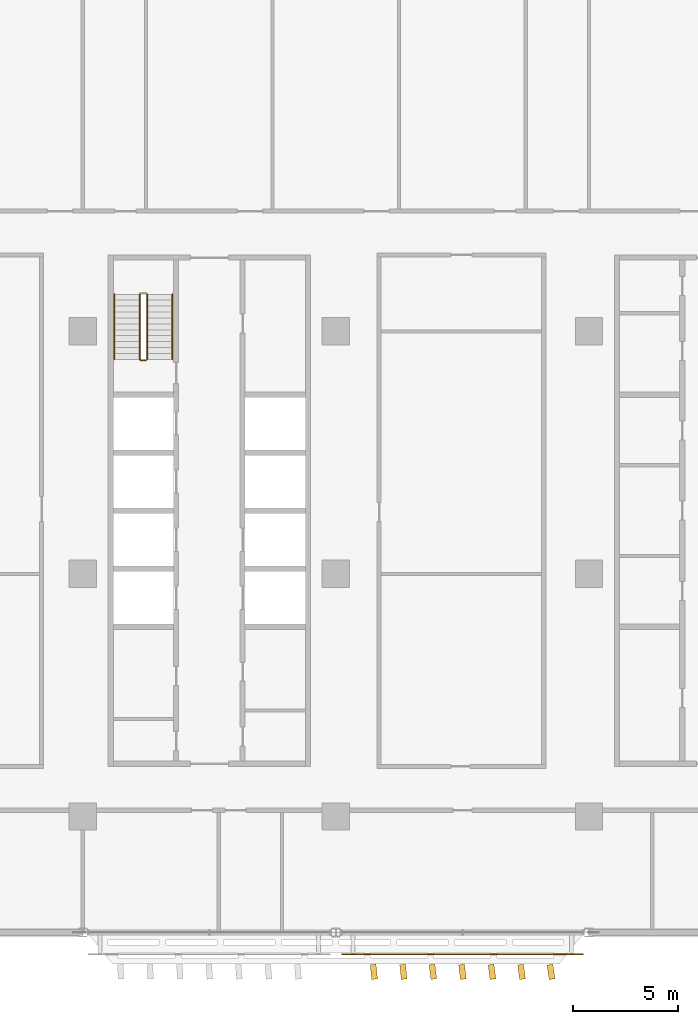
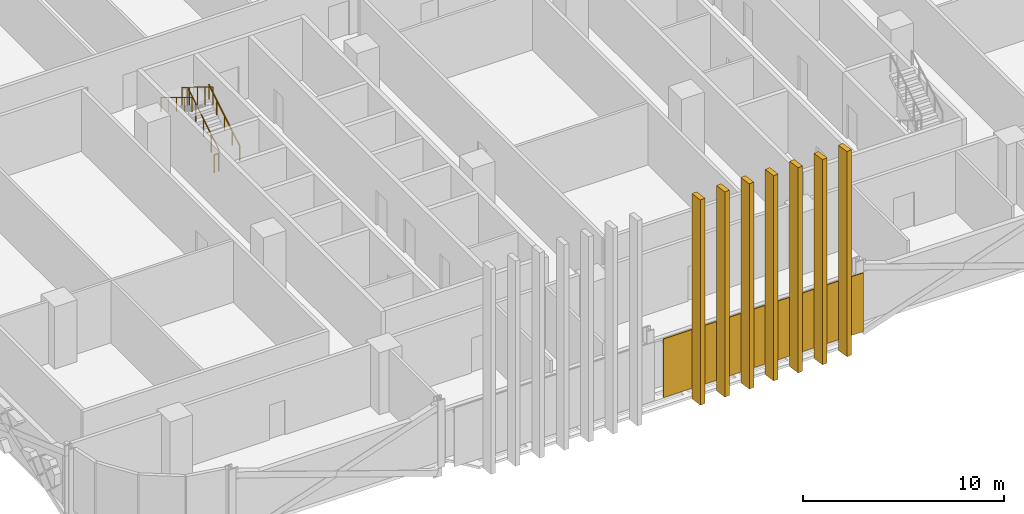
# One storey, part 25 of 33: 8 coverings, 5 railings.
"""IFC4 building model written with IfcOpenShell, lengths in metres."""

from ifc_helpers import new_model, si_unit, direction, frame, origin, origin_2d, place, context, subcontext, project, spatial, rectangle, circle, extrude, material, layer, layer_set, type_object, element, save


model = new_model("IFC4")

# Units and contexts
model_context = context("Model", 3, precision=1e-05, world=origin(), true_north=direction((0.0, 1.0)))
body_context = subcontext(model_context, "Body", "Model", "MODEL_VIEW")
ifc_project = project(units=[si_unit("LENGTHUNIT", "METRE"), si_unit("AREAUNIT", "SQUARE_METRE"), si_unit("VOLUMEUNIT", "CUBIC_METRE"), si_unit("PLANEANGLEUNIT", "RADIAN"), si_unit("MASSUNIT", "GRAM", prefix="KILO")], contexts=[model_context])

# Site, building, storey
site_placement = place(None, origin())
site = spatial("IfcSite", under=ifc_project, at=site_placement, CompositionType="ELEMENT")
building_placement = place(site_placement, origin())
building = spatial("IfcBuilding", under=site, at=building_placement, Name="Mahtab Terrace Research Tower", CompositionType="ELEMENT")
storey_placement = place(building_placement, frame((0.0, 0.0, 122.0)))
storey = spatial("IfcBuildingStorey", under=building, at=storey_placement, Name="L28", CompositionType="ELEMENT", Elevation=122.0)

# Covering
ifc_material_1 = material(Name="Bronze anodised aluminium", Category="aluminium")
ifc_layer_1 = layer(ifc_material_1, 0.050048828125)
ifc_layer_set_1 = layer_set([ifc_layer_1], Name="Sky lounge girih screen panel")
covering_type_1 = type_object("IfcCoveringType", Name="Sky lounge girih screen panel", PredefinedType="CLADDING", material=ifc_layer_set_1)
covering_placement = place(storey_placement, frame((-12.0, -18.02490234375, 0.099853515625), z_axis=(0.0, 0.0, 1.0), x_axis=(1.0, 0.0, 0.0)))
element("IfcCovering", 1, at=covering_placement, inside=storey, type_object=covering_type_1, Name="Girih screen L28 S27", PredefinedType="CLADDING", context=body_context, shape_type="SweptSolid", body=[
    extrude(rectangle(XDim=11.464111328125, YDim=0.050048828125, at=origin_2d()), origin(), (0.0, 0.0, 1.0), 3.56005859375),
])

# Railings
ifc_material_2 = material(Name="Stainless steel AISI 304", Category="steel")
railing_type_1 = type_object("IfcRailingType", Name="Stair guard 1100", PredefinedType="GUARDRAIL", material=ifc_material_2)
railing_1_placement = place(storey_placement, frame((-26.949951171875, 10.175048828125, 0.1708984375)))
element("IfcRailing", 2, at=railing_1_placement, inside=storey, type_object=railing_type_1, Name="L28 ST1 stair guard 1", PredefinedType="GUARDRAIL", context=body_context, shape_type="SweptSolid", body=[
    extrude(circle(Radius=0.02392578125, at=origin_2d()), frame((0.0, 0.0, 1.076171875), z_axis=(0.0, 0.853647949592, 0.520850437417), x_axis=(-1.0, 0.0, 0.0)), (0.0, 0.0, 1.0), 3.60791015625),
    extrude(circle(Radius=0.02099609375, at=origin_2d()), origin(), (0.0, 0.0, 1.0), 1.052001953125),
    extrude(circle(Radius=0.02099609375, at=origin_2d()), frame((0.0, 0.77001953125, 0.4697265625)), (0.0, 0.0, 1.0), 1.052001953125),
    extrude(circle(Radius=0.02099609375, at=origin_2d()), frame((0.0, 1.5400390625, 0.939453125)), (0.0, 0.0, 1.0), 1.052001953125),
    extrude(circle(Radius=0.02099609375, at=origin_2d()), frame((0.0, 2.309814453125, 1.409423828125)), (0.0, 0.0, 1.0), 1.052001953125),
    extrude(circle(Radius=0.02099609375, at=origin_2d()), frame((0.0, 3.079833984375, 1.879150390625)), (0.0, 0.0, 1.0), 1.052001953125),
])
railing_2_placement = place(storey_placement, frame((-27.300048828125, 13.2548828125, 2.220947265625)))
element("IfcRailing", 3, at=railing_2_placement, inside=storey, type_object=railing_type_1, Name="L28 ST1 stair guard 3", PredefinedType="GUARDRAIL", context=body_context, shape_type="SweptSolid", body=[
    extrude(circle(Radius=0.02392578125, at=origin_2d()), frame((0.0, 0.0, 1.076171875), z_axis=(0.0, -0.853647949592, 0.520850437417), x_axis=(1.0, 0.0, 0.0)), (0.0, 0.0, 1.0), 3.60791015625),
    extrude(circle(Radius=0.02099609375, at=origin_2d()), origin(), (0.0, 0.0, 1.0), 1.052001953125),
    extrude(circle(Radius=0.02099609375, at=origin_2d()), frame((0.0, -0.77001953125, 0.4697265625)), (0.0, 0.0, 1.0), 1.052001953125),
    extrude(circle(Radius=0.02099609375, at=origin_2d()), frame((0.0, -1.5400390625, 0.939453125)), (0.0, 0.0, 1.0), 1.052001953125),
    extrude(circle(Radius=0.02099609375, at=origin_2d()), frame((0.0, -2.309814453125, 1.409423828125)), (0.0, 0.0, 1.0), 1.052001953125),
    extrude(circle(Radius=0.02099609375, at=origin_2d()), frame((0.0, -3.079833984375, 1.879150390625)), (0.0, 0.0, 1.0), 1.052001953125),
])
railing_3_placement = place(storey_placement, frame((-27.0, 10.125, 0.0)))
element("IfcRailing", 4, at=railing_3_placement, inside=storey, type_object=railing_type_1, Name="L28 ST1 stair guard 4", PredefinedType="GUARDRAIL", context=body_context, shape_type="SweptSolid", body=[
    extrude(circle(Radius=0.02392578125, at=origin_2d()), frame((0.0, 0.0, 1.076171875), z_axis=(-1.0, 0.0, 0.0), x_axis=(0.0, -1.0, 0.0)), (0.0, 0.0, 1.0), 0.25),
    extrude(circle(Radius=0.02099609375, at=origin_2d()), origin(), (0.0, 0.0, 1.0), 1.052001953125),
    extrude(circle(Radius=0.02099609375, at=origin_2d()), frame((-0.25, 0.0, 0.0)), (0.0, 0.0, 1.0), 1.052001953125),
])
railing_type_2 = type_object("IfcRailingType", Name="Stair handrail 900", PredefinedType="HANDRAIL", material=ifc_material_2)
railing_4_placement = place(storey_placement, frame((-25.75, 10.175048828125, 0.1708984375)))
element("IfcRailing", 5, at=railing_4_placement, inside=storey, type_object=railing_type_2, Name="L28 ST1 stair handrail 1", PredefinedType="HANDRAIL", context=body_context, shape_type="SweptSolid", body=[
    extrude(circle(Radius=0.02392578125, at=origin_2d()), frame((0.0, 0.0, 0.8759765625), z_axis=(0.0, 0.853647949592, 0.520850437417), x_axis=(-1.0, 0.0, 0.0)), (0.0, 0.0, 1.0), 3.60791015625),
    extrude(circle(Radius=0.02099609375, at=origin_2d()), origin(), (0.0, 0.0, 1.0), 0.851806640625),
    extrude(circle(Radius=0.02099609375, at=origin_2d()), frame((0.0, 0.77001953125, 0.4697265625)), (0.0, 0.0, 1.0), 0.851806640625),
    extrude(circle(Radius=0.02099609375, at=origin_2d()), frame((0.0, 1.5400390625, 0.939453125)), (0.0, 0.0, 1.0), 0.851806640625),
    extrude(circle(Radius=0.02099609375, at=origin_2d()), frame((0.0, 2.309814453125, 1.409423828125)), (0.0, 0.0, 1.0), 0.851806640625),
    extrude(circle(Radius=0.02099609375, at=origin_2d()), frame((0.0, 3.079833984375, 1.879150390625)), (0.0, 0.0, 1.0), 0.851806640625),
])
railing_5_placement = place(storey_placement, frame((-28.5, 13.2548828125, 2.220947265625)))
element("IfcRailing", 6, at=railing_5_placement, inside=storey, type_object=railing_type_2, Name="L28 ST1 stair handrail 2", PredefinedType="HANDRAIL", context=body_context, shape_type="SweptSolid", body=[
    extrude(circle(Radius=0.02392578125, at=origin_2d()), frame((0.0, 0.0, 0.8759765625), z_axis=(0.0, -0.853647949592, 0.520850437417), x_axis=(1.0, 0.0, 0.0)), (0.0, 0.0, 1.0), 3.60791015625),
    extrude(circle(Radius=0.02099609375, at=origin_2d()), origin(), (0.0, 0.0, 1.0), 0.851806640625),
    extrude(circle(Radius=0.02099609375, at=origin_2d()), frame((0.0, -0.77001953125, 0.4697265625)), (0.0, 0.0, 1.0), 0.851806640625),
    extrude(circle(Radius=0.02099609375, at=origin_2d()), frame((0.0, -1.5400390625, 0.939453125)), (0.0, 0.0, 1.0), 0.851806640625),
    extrude(circle(Radius=0.02099609375, at=origin_2d()), frame((0.0, -2.309814453125, 1.409423828125)), (0.0, 0.0, 1.0), 0.851806640625),
    extrude(circle(Radius=0.02099609375, at=origin_2d()), frame((0.0, -3.079833984375, 1.879150390625)), (0.0, 0.0, 1.0), 0.851806640625),
])

# Coverings
ifc_layer_2 = layer(ifc_material_1, 0.1201171875)
ifc_layer_set_2 = layer_set([ifc_layer_2], Name="Vertical fin 700")
covering_type_2 = type_object("IfcCoveringType", Name="Vertical fin 700", PredefinedType="CLADDING", material=ifc_layer_set_2)
for number, where, z_axis, x_axis, name in (
    (7, (-16.199951171875, -18.863037109375, -0.14990234375), (0.0, 0.0, 1.0), (0.994258180634, 0.107007804585, 0.0), "Fin L28 S1"),
    (8, (-14.800048828125, -18.863525390625, -0.14990234375), (0.0, 0.0, 1.0), (0.993618812002, 0.112790320663, 0.0), "Fin L28 S2"),
    (9, (-13.39990234375, -18.864013671875, -0.14990234375), (0.0, 0.0, 1.0), (0.992945813063, 0.118569019226, 0.0), "Fin L28 S3"),
    (10, (-12.0, -18.86474609375, -0.14990234375), (0.0, 0.0, 1.0), (0.9922392066, 0.12434370465, 0.0), "Fin L28 S4"),
    (11, (-10.60009765625, -18.865234375, -0.14990234375), (0.0, 0.0, 1.0), (0.991499016526, 0.130114181502, 0.0), "Fin L28 S5"),
    (12, (-9.199951171875, -18.86572265625, -0.14990234375), (0.0, 0.0, 1.0), (0.990725267892, 0.135880254489, 0.0), "Fin L28 S6"),
    (13, (-7.800048828125, -18.8662109375, -0.14990234375), (0.0, 0.0, 1.0), (0.989917986891, 0.141641728418, 0.0), "Fin L28 S7"),
):
    element("IfcCovering", number, at=place(storey_placement, frame(where, z_axis=z_axis, x_axis=x_axis)), inside=storey, type_object=covering_type_2, Name=name, PredefinedType="CLADDING", context=body_context, shape_type="SweptSolid", body=[
        extrude(rectangle(XDim=0.280029296875, YDim=0.699951171875, at=origin_2d()), origin(), (0.0, 0.0, 1.0), 12.449951171875),
    ])

save(model, "model.ifc")
